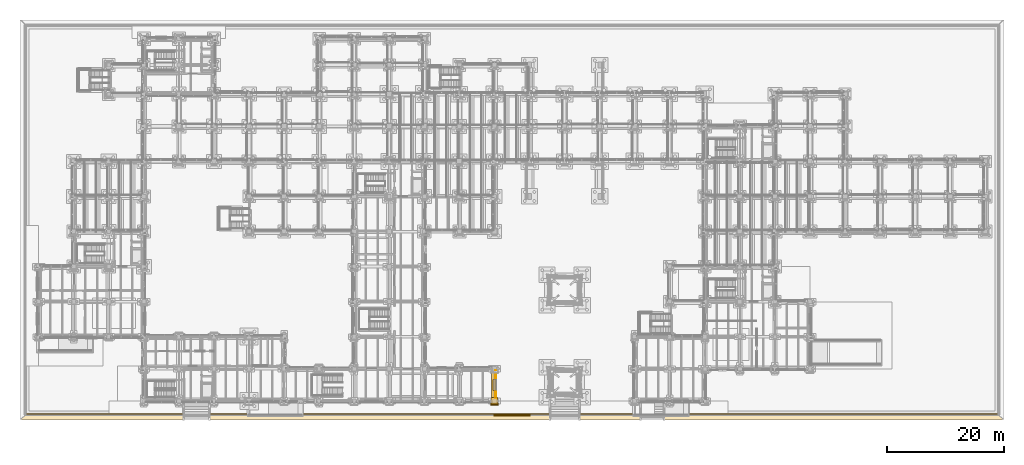
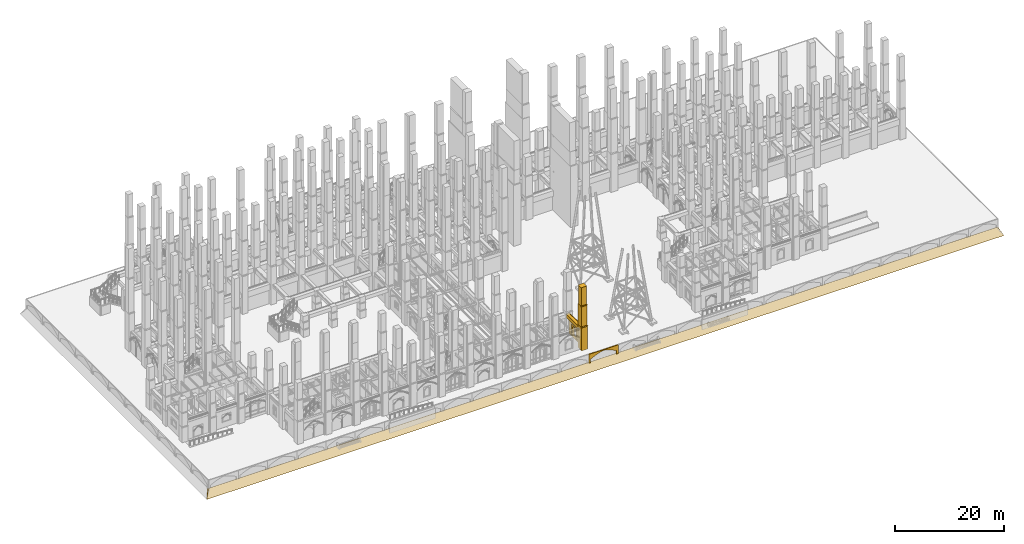
# One storey, part 100 of 135: 11 coverings.
"""IFC4 building model written with IfcOpenShell, lengths in metres."""

from ifc_helpers import new_model, si_unit, direction, frame, origin, origin_2d, place, context, subcontext, project, spatial, polyline, rectangle, outline, extrude, material, type_object, element, save


model = new_model("IFC4")

# Units and contexts
model_context = context("Model", 3, precision=1e-05, world=origin(), true_north=direction((0.0, 1.0)))
body_context = subcontext(model_context, "Body", "Model", "MODEL_VIEW")
ifc_project = project(units=[si_unit("LENGTHUNIT", "METRE"), si_unit("AREAUNIT", "SQUARE_METRE"), si_unit("VOLUMEUNIT", "CUBIC_METRE"), si_unit("PLANEANGLEUNIT", "RADIAN"), si_unit("MASSUNIT", "GRAM", prefix="KILO")], contexts=[model_context])

# Site, building, storey
site_placement = place(None, origin())
site = spatial("IfcSite", under=ifc_project, at=site_placement, CompositionType="ELEMENT")
building_placement = place(site_placement, origin())
building = spatial("IfcBuilding", under=site, at=building_placement, Name="Cumevento Cable Car Station", CompositionType="ELEMENT")
storey_placement = place(building_placement, origin())
storey = spatial("IfcBuildingStorey", under=building, at=storey_placement, Name="L01", CompositionType="ELEMENT", Elevation=0.0)

# Coverings
ifc_material = material(Name="Gnaisse Facoidal Stone Ashlar 85 MPa", Category="masonry")
covering_type = type_object("IfcCoveringType", Name="Gnaisse Ashlar Cladding CV-CL01", PredefinedType="CLADDING", material=ifc_material)
covering_1_placement = place(storey_placement, frame((82.0, 3.909912109375, -0.06005859375), z_axis=(0.0, 0.0, 1.0), x_axis=(1.0, 0.0, 0.0)))
element("IfcCovering", 1, at=covering_1_placement, inside=storey, type_object=covering_type, Name="Stepped Gothic Stone Buttress Tier 1 bt:82.0:4.0", PredefinedType="CLADDING", context=body_context, shape_type="SweptSolid", body=[
    extrude(rectangle(XDim=1.239990234375, YDim=1.300048828125, at=origin_2d()), origin(), (0.0, 0.0, 1.0), 5.175537109375),
])
covering_2_placement = place(storey_placement, frame((81.360107421875, 3.239990234375, 5.095703125), z_axis=(0.0, -0.711135781079, 0.703054692658), x_axis=(1.0, 0.0, 0.0)))
element("IfcCovering", 2, at=covering_2_placement, inside=storey, type_object=covering_type, Name="Gothic Buttress Sloped Stone Weathering 1 bt:82.0:4.0", PredefinedType="CLADDING", context=body_context, shape_type="SweptSolid", body=[
    extrude(outline(polyline([(0.0, 0.0), (1.27978515625, 0.0), (1.27978515625, 0.24169083397703695), (0.0, 0.24169083397703695), (0.0, 0.0)])), origin(), (0.0, 0.0, -1.0), 0.090087890625),
])
covering_3_placement = place(storey_placement, frame((82.0, 3.969970703125, 4.84326171875), z_axis=(0.0, 0.0, 1.0), x_axis=(1.0, 0.0, 0.0)))
element("IfcCovering", 3, at=covering_3_placement, inside=storey, type_object=covering_type, Name="Stepped Gothic Stone Buttress Tier 2 bt:82.0:4.0", PredefinedType="CLADDING", context=body_context, shape_type="SweptSolid", body=[
    extrude(rectangle(XDim=1.179931640625, YDim=1.179931640625, at=origin_2d()), origin(), (0.0, 0.0, 1.0), 4.9033203125),
])
covering_4_placement = place(storey_placement, frame((81.389892578125, 3.360107421875, 9.726318359375), z_axis=(0.0, -0.714474823669, 0.699661151089), x_axis=(1.0, 0.0, 0.0)))
element("IfcCovering", 4, at=covering_4_placement, inside=storey, type_object=covering_type, Name="Gothic Buttress Sloped Stone Weathering 2 bt:82.0:4.0", PredefinedType="CLADDING", context=body_context, shape_type="SweptSolid", body=[
    extrude(outline(polyline([(0.0, 0.0), (1.22021484375, 0.0), (1.22021484375, 0.21424991728737655), (0.0, 0.21424991728737655), (0.0, 0.0)])), origin(), (0.0, 0.0, -1.0), 0.090087890625),
])
covering_5_placement = place(storey_placement, frame((82.0, 4.02001953125, 9.47412109375), z_axis=(0.0, 0.0, 1.0), x_axis=(1.0, 0.0, 0.0)))
element("IfcCovering", 5, at=covering_5_placement, inside=storey, type_object=covering_type, Name="Stepped Gothic Stone Buttress Tier 3 bt:82.0:4.0", PredefinedType="CLADDING", context=body_context, shape_type="SweptSolid", body=[
    extrude(rectangle(XDim=1.1201171875, YDim=1.080078125, at=origin_2d()), origin(), (0.0, 0.0, 1.0), 4.426025390625),
])
covering_6_placement = place(storey_placement, frame((81.85009765625, 6.737548828125, 3.80908203125), z_axis=(0.0, 0.0, 1.0), x_axis=(0.0, -1.0, 0.0)))
element("IfcCovering", 6, at=covering_6_placement, inside=storey, type_object=covering_type, Name="Gothic Stone Spandrel Stringcourse sc:0022", PredefinedType="CLADDING", context=body_context, shape_type="SweptSolid", body=[
    extrude(rectangle(XDim=5.014892578125, YDim=0.659912109375, at=origin_2d()), origin(), (0.0, 0.0, 1.0), 0.7470703125),
])
covering_7_placement = place(storey_placement, frame((82.20751953125, 6.737548828125, 4.426025390625), z_axis=(0.0, 0.0, 1.0), x_axis=(0.0, -1.0, 0.0)))
element("IfcCovering", 7, at=covering_7_placement, inside=storey, type_object=covering_type, Name="Gothic Cornice Dripstone Lip sc:0022", PredefinedType="CLADDING", context=body_context, shape_type="SweptSolid", body=[
    extrude(rectangle(XDim=5.054931640625, YDim=0.114990234375, at=origin_2d()), origin(), (0.0, 0.0, 1.0), 0.1298828125),
])
covering_8_placement = place(storey_placement, frame((82.0, 9.125, 0.0), z_axis=(0.0, 0.0, 1.0), x_axis=(0.0, -1.0, 0.0)))
element("IfcCovering", 8, at=covering_8_placement, inside=storey, type_object=covering_type, Name="Exterior Gnaisse Stone Wall Ashlar #121", PredefinedType="CLADDING", context=body_context, shape_type="SweptSolid", body=[
    extrude(outline(polyline([(-0.0400390625, -0.02001953125), (4.81494140625, -0.02001953125), (4.81494140625, 3.888916015625), (-0.0400390625, 3.888916015625), (-0.0400390625, -0.02001953125)]), holes=[polyline([(1.672607421875, 0.760009765625), (3.1025390625, 0.760009765625), (3.1025390625, 2.989990234375), (1.672607421875, 2.989990234375), (1.672607421875, 0.760009765625)])]), frame((0.0, 0.2451171875, 0.0), z_axis=(0.0, -1.0, 0.0), x_axis=(1.0, 0.0, 0.0)), (0.0, 0.0, 1.0), 0.0849609375),
])
covering_9_placement = place(storey_placement, frame((82.0, 7.6025390625, 0.699951171875), z_axis=(0.0, 0.0, 1.0), x_axis=(0.0, -1.0, 0.0)))
element("IfcCovering", 9, at=covering_9_placement, inside=storey, type_object=covering_type, Name="Gothic Ogival Pointed-Arch Stone Spandrel op_ogival:0121:1", PredefinedType="CLADDING", context=body_context, shape_type="SweptSolid", body=[
    extrude(outline(polyline([(-0.0400390625, 0.0), (-0.0400390625, 2.52001953125), (1.77001953125, 2.52001953125), (1.77001953125, 0.0), (1.590087890625, 0.0), (1.590087890625, 1.669921875), (1.517333984375, 1.7939453125), (1.4326171875, 1.91015625), (1.337158203125, 2.017578125), (1.2314453125, 2.115234375), (1.116943359375, 2.201904296875), (0.994384765625, 2.277099609375), (0.864990234375, 2.33984375), (0.735595703125, 2.277099609375), (0.613037109375, 2.201904296875), (0.49853515625, 2.115234375), (0.392822265625, 2.017578125), (0.29736328125, 1.91015625), (0.212646484375, 1.7939453125), (0.139892578125, 1.669921875), (0.139892578125, 0.0), (-0.0400390625, 0.0)])), frame((0.0, 0.282958984375, 0.0), z_axis=(0.0, -1.0, 0.0), x_axis=(1.0, 0.0, 0.0)), (0.0, 0.0, 1.0), 0.52001953125),
])
covering_10_placement = place(storey_placement, frame((0.800048828125, 0.800048828125, -3.52001953125), z_axis=(0.0, -0.880314012934, 0.474391440303), x_axis=(1.0, 0.0, 0.0)))
element("IfcCovering", 10, at=covering_10_placement, inside=storey, type_object=covering_type, Name="Battered Granite Bedrock Toe Glacis S", PredefinedType="CLADDING", context=body_context, shape_type="SweptSolid", body=[
    extrude(outline(polyline([(0.0, 0.0), (168.39990234375, 0.0), (167.599853515625, 1.896961596050447), (0.800048828125, 1.896961596050447), (0.0, 0.0)])), origin(), (0.0, 0.0, -1.0), 0.199951171875),
])
covering_11_placement = place(storey_placement, frame((88.087158203125, 1.64990234375, -1.919921875), z_axis=(0.0, 0.0, 1.0), x_axis=(-1.0, 0.0, 0.0)))
element("IfcCovering", 11, at=covering_11_placement, inside=storey, type_object=covering_type, Name="Gothic Ogival Pointed-Arch Stone Spandrel cumevento_plinth:plinth_arch:S:13", PredefinedType="CLADDING", context=body_context, shape_type="SweptSolid", body=[
    extrude(outline(polyline([(-0.02001953125, 0.0), (-0.02001953125, 1.9599609375), (6.194091796875, 1.9599609375), (6.194091796875, 0.0), (5.81396484375, 0.0), (5.81396484375, 0.77001953125), (5.3857421875, 1.00390625), (4.945068359375, 1.213623046875), (4.493408203125, 1.3984375), (4.0322265625, 1.558349609375), (3.56298828125, 1.692138671875), (3.087158203125, 1.800048828125), (2.611083984375, 1.692138671875), (2.141845703125, 1.558349609375), (1.6806640625, 1.3984375), (1.22900390625, 1.213623046875), (0.788330078125, 1.00390625), (0.360107421875, 0.77001953125), (0.360107421875, 0.0), (-0.02001953125, 0.0)])), frame((0.0, 0.14990234375, 0.0), z_axis=(0.0, -1.0, 0.0), x_axis=(1.0, 0.0, 0.0)), (0.0, 0.0, 1.0), 0.179931640625),
])

save(model, "model.ifc")
